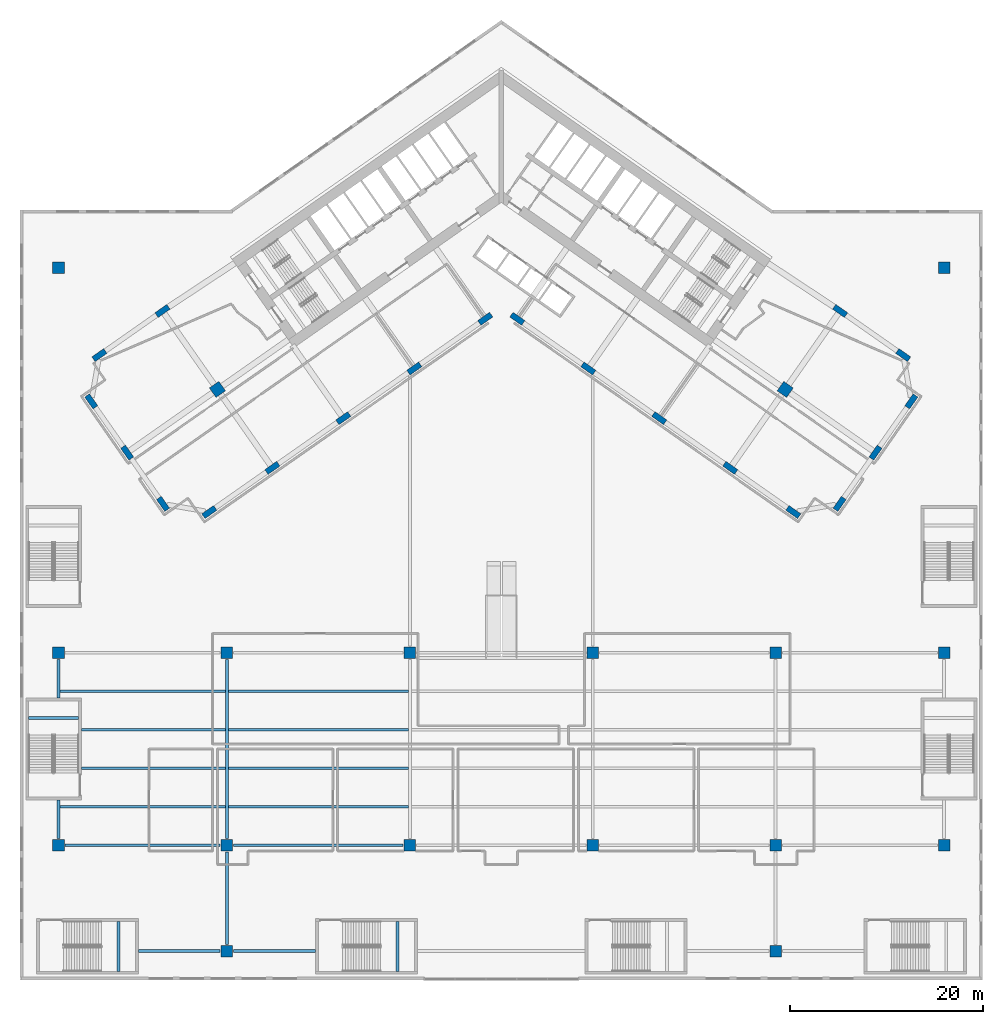
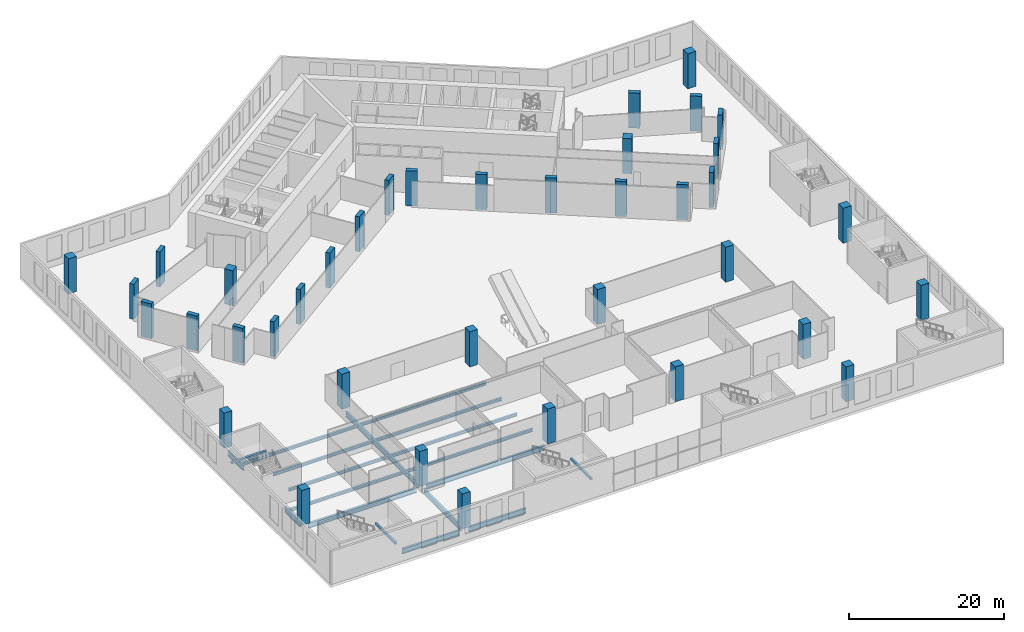
# One storey, part 1 of 26: 38 columns, 19 beams.
"""IFC4 building model written with IfcOpenShell, lengths in metres."""

from ifc_helpers import new_model, si_unit, direction, frame, origin, origin_2d, place, context, subcontext, project, spatial, rectangle, i_section, extrude, material, material_profile, profile_set, type_object, element, save


model = new_model("IFC4")

# Units and contexts
model_context = context("Model", 3, precision=1e-05, world=origin(), true_north=direction((0.0, 1.0)))
body_context = subcontext(model_context, "Body", "Model", "MODEL_VIEW")
ifc_project = project(units=[si_unit("LENGTHUNIT", "METRE"), si_unit("AREAUNIT", "SQUARE_METRE"), si_unit("VOLUMEUNIT", "CUBIC_METRE"), si_unit("PLANEANGLEUNIT", "RADIAN"), si_unit("MASSUNIT", "GRAM", prefix="KILO")], contexts=[model_context])

# Site, building, storey
site_placement = place(None, origin())
site = spatial("IfcSite", under=ifc_project, at=site_placement, CompositionType="ELEMENT")
building_placement = place(site_placement, origin())
building = spatial("IfcBuilding", under=site, at=building_placement, Name="Tel Ilan Convention Tower", CompositionType="ELEMENT")
storey_placement = place(building_placement, frame((0.0, 0.0, 32.0)))
storey = spatial("IfcBuildingStorey", under=building, at=storey_placement, Name="L04", CompositionType="ELEMENT", Elevation=32.0)

# Columns
ifc_material_1 = material(Name="Concrete C50/60", Category="concrete")
ifc_material_profile_1 = material_profile(ifc_material_1, rectangle(XDim=1.199951171875, YDim=1.199951171875, at=origin_2d()), Name="RC 1200x1200")
ifc_profile_set_1 = profile_set([ifc_material_profile_1], Name="Concrete C50/60")
column_type_1 = type_object("IfcColumnType", Name="Column RC 1200x1200 C50/60", PredefinedType="COLUMN", material=ifc_profile_set_1)
for number, where, z_axis, x_axis, name in (
    (1, (-28.5, -79.0, 0.0), (0.0, 0.0, 1.0), (1.0, 0.0, 0.0), "L04 column PC12"),
    (2, (28.5, -79.0, 0.0), (0.0, 0.0, 1.0), (1.0, 0.0, 0.0), "L04 column PC15"),
    (3, (-46.0, -68.0, 0.0), (0.0, 0.0, 1.0), (1.0, 0.0, 0.0), "L04 column PC21"),
    (4, (-28.5, -68.0, 0.0), (0.0, 0.0, 1.0), (1.0, 0.0, 0.0), "L04 column PC22"),
    (5, (-9.5, -68.0, 0.0), (0.0, 0.0, 1.0), (1.0, 0.0, 0.0), "L04 column PC23"),
    (6, (9.5, -68.0, 0.0), (0.0, 0.0, 1.0), (1.0, 0.0, 0.0), "L04 column PC24"),
    (7, (28.5, -68.0, 0.0), (0.0, 0.0, 1.0), (1.0, 0.0, 0.0), "L04 column PC25"),
    (8, (46.0, -68.0, 0.0), (0.0, 0.0, 1.0), (1.0, 0.0, 0.0), "L04 column PC26"),
    (9, (-46.0, -48.0, 0.0), (0.0, 0.0, 1.0), (1.0, 0.0, 0.0), "L04 column PC31"),
    (10, (-28.5, -48.0, 0.0), (0.0, 0.0, 1.0), (1.0, 0.0, 0.0), "L04 column PC32"),
    (11, (-9.5, -48.0, 0.0), (0.0, 0.0, 1.0), (1.0, 0.0, 0.0), "L04 column PC33"),
    (12, (9.5, -48.0, 0.0), (0.0, 0.0, 1.0), (1.0, 0.0, 0.0), "L04 column PC34"),
    (13, (28.5, -48.0, 0.0), (0.0, 0.0, 1.0), (1.0, 0.0, 0.0), "L04 column PC35"),
    (14, (46.0, -48.0, 0.0), (0.0, 0.0, 1.0), (1.0, 0.0, 0.0), "L04 column PC36"),
    (15, (-46.0, -8.0, 0.0), (0.0, 0.0, 1.0), (1.0, 0.0, 0.0), "L04 column PC51"),
    (16, (46.0, -8.0, 0.0), (0.0, 0.0, 1.0), (1.0, 0.0, 0.0), "L04 column PC56"),
):
    element("IfcColumn", number, at=place(storey_placement, frame(where, z_axis=z_axis, x_axis=x_axis)), inside=storey, type_object=column_type_1, Name=name, PredefinedType="COLUMN", context=body_context, shape_type="SweptSolid", body=[
        extrude(rectangle(XDim=1.199951171875, YDim=1.199951171875, at=origin_2d()), origin(), (0.0, 0.0, 1.0), 5.5),
    ])
ifc_material_2 = material(Name="Concrete C60/75", Category="concrete")
ifc_material_profile_2 = material_profile(ifc_material_2, rectangle(XDim=1.199951171875, YDim=1.199951171875, at=origin_2d()), Name="RC 1200x1200")
ifc_profile_set_2 = profile_set([ifc_material_profile_2], Name="Concrete C60/75")
column_type_2 = type_object("IfcColumnType", Name="Column RC 1200x1200 C60/75", PredefinedType="COLUMN", material=ifc_profile_set_2)
for number, where, z_axis, x_axis, name in (
    (17, (-29.489501953125, -20.648681640625, 0.0), (0.0, 0.0, 1.0), (-0.819152044289, -0.573576436351, 0.0), "L04 column W-M4"),
    (18, (29.489501953125, -20.648681640625, 0.0), (0.0, 0.0, 1.0), (0.819152044289, -0.573576436351, 0.0), "L04 column E-M4"),
):
    element("IfcColumn", number, at=place(storey_placement, frame(where, z_axis=z_axis, x_axis=x_axis)), inside=storey, type_object=column_type_2, Name=name, PredefinedType="COLUMN", context=body_context, shape_type="SweptSolid", body=[
        extrude(rectangle(XDim=1.199951171875, YDim=1.199951171875, at=origin_2d()), origin(), (0.0, 0.0, 1.0), 5.5),
    ])
ifc_material_3 = material(Name="Concrete C60/75", Category="concrete")
ifc_material_profile_3 = material_profile(ifc_material_3, rectangle(XDim=1.5, YDim=0.60009765625, at=origin_2d()), Name="RC 600x1500")
ifc_profile_set_3 = profile_set([ifc_material_profile_3], Name="Concrete C60/75")
column_type_3 = type_object("IfcColumnType", Name="Column RC 600x1500 C60/75", PredefinedType="COLUMN", material=ifc_profile_set_3)
for number, where, z_axis, x_axis, name in (
    (19, (-1.665283203125, -13.312744140625, 0.0), (0.0, 0.0, 1.0), (-0.819152044289, -0.573576436351, 0.0), "L04 column W-F1"),
    (20, (-9.03759765625, -18.474853515625, 0.0), (0.0, 0.0, 1.0), (-0.819152044289, -0.573576436351, 0.0), "L04 column W-F2"),
    (21, (-16.409912109375, -23.63720703125, 0.0), (0.0, 0.0, 1.0), (-0.819152044289, -0.573576436351, 0.0), "L04 column W-F3"),
    (22, (-23.782470703125, -28.79931640625, 0.0), (0.0, 0.0, 1.0), (-0.819152044289, -0.573576436351, 0.0), "L04 column W-F4"),
    (23, (-30.335693359375, -33.387939453125, 0.0), (0.0, 0.0, 1.0), (-0.819152044289, -0.573576436351, 0.0), "L04 column W-FC"),
    (24, (-35.196533203125, -12.498291015625, 0.0), (0.0, 0.0, 1.0), (-0.819152044289, -0.573576436351, 0.0), "L04 column W-B4"),
    (25, (-41.749755859375, -17.0869140625, 0.0), (0.0, 0.0, 1.0), (-0.819152044289, -0.573576436351, 0.0), "L04 column W-BC"),
    (26, (-35.140380859375, -32.540771484375, 0.0), (0.0, 0.0, 1.0), (-0.573576436351, 0.819152044289, 0.0), "L04 column W-E1"),
    (27, (-38.868896484375, -27.21630859375, 0.0), (0.0, 0.0, 1.0), (-0.573576436351, 0.819152044289, 0.0), "L04 column W-E2"),
    (28, (-42.596923828125, -21.8916015625, 0.0), (0.0, 0.0, 1.0), (-0.573576436351, 0.819152044289, 0.0), "L04 column W-E3"),
    (29, (1.665283203125, -13.312744140625, 0.0), (0.0, 0.0, 1.0), (0.819152044289, -0.573576436351, 0.0), "L04 column E-F1"),
    (30, (9.03759765625, -18.474853515625, 0.0), (0.0, 0.0, 1.0), (0.819152044289, -0.573576436351, 0.0), "L04 column E-F2"),
    (31, (16.409912109375, -23.63720703125, 0.0), (0.0, 0.0, 1.0), (0.819152044289, -0.573576436351, 0.0), "L04 column E-F3"),
    (32, (23.782470703125, -28.79931640625, 0.0), (0.0, 0.0, 1.0), (0.819152044289, -0.573576436351, 0.0), "L04 column E-F4"),
    (33, (30.335693359375, -33.387939453125, 0.0), (0.0, 0.0, 1.0), (0.819152044289, -0.573576436351, 0.0), "L04 column E-FC"),
    (34, (35.196533203125, -12.498291015625, 0.0), (0.0, 0.0, 1.0), (0.819152044289, -0.573576436351, 0.0), "L04 column E-B4"),
    (35, (41.749755859375, -17.0869140625, 0.0), (0.0, 0.0, 1.0), (0.819152044289, -0.573576436351, 0.0), "L04 column E-BC"),
    (36, (35.140380859375, -32.540771484375, 0.0), (0.0, 0.0, 1.0), (0.573576436351, 0.819152044289, 0.0), "L04 column E-E1"),
    (37, (38.868896484375, -27.21630859375, 0.0), (0.0, 0.0, 1.0), (0.573576436351, 0.819152044289, 0.0), "L04 column E-E2"),
    (38, (42.596923828125, -21.8916015625, 0.0), (0.0, 0.0, 1.0), (0.573576436351, 0.819152044289, 0.0), "L04 column E-E3"),
):
    element("IfcColumn", number, at=place(storey_placement, frame(where, z_axis=z_axis, x_axis=x_axis)), inside=storey, type_object=column_type_3, Name=name, PredefinedType="COLUMN", context=body_context, shape_type="SweptSolid", body=[
        extrude(rectangle(XDim=1.5, YDim=0.60009765625, at=origin_2d()), origin(), (0.0, 0.0, 1.0), 5.5),
    ])

# Beams
ifc_material_4 = material(Name="Steel S355", Category="steel")
ifc_material_profile_4 = material_profile(ifc_material_4, i_section(OverallWidth=0.300048828125, OverallDepth=0.800048828125, WebThickness=0.017578125, FlangeThickness=0.032958984375, FilletRadius=0.030029296875, at=origin_2d()), Name="HEB 800")
ifc_profile_set_4 = profile_set([ifc_material_profile_4], Name="Steel S355")
beam_type_1 = type_object("IfcBeamType", Name="Girder HEB 800 Steel S355", PredefinedType="BEAM", material=ifc_profile_set_4)
beam_1_placement = place(storey_placement, frame((-45.300048828125, -68.0, -0.800048828125), z_axis=(1.0, 0.0, 0.0), x_axis=(0.0, 1.0, 0.0)))
element("IfcBeam", 39, at=beam_1_placement, inside=storey, type_object=beam_type_1, Name="L04 beam GX21-2", PredefinedType="BEAM", context=body_context, shape_type="SweptSolid", body=[
    extrude(i_section(OverallWidth=0.300048828125, OverallDepth=0.800048828125, WebThickness=0.017578125, FlangeThickness=0.032958984375, FilletRadius=0.030029296875, at=origin_2d()), origin(), (0.0, 0.0, 1.0), 16.10009765625),
])
beam_2_placement = place(storey_placement, frame((-27.800048828125, -68.0, -0.800048828125), z_axis=(1.0, 0.0, 0.0), x_axis=(0.0, 1.0, 0.0)))
element("IfcBeam", 40, at=beam_2_placement, inside=storey, type_object=beam_type_1, Name="L04 beam GX22-3", PredefinedType="BEAM", context=body_context, shape_type="SweptSolid", body=[
    extrude(i_section(OverallWidth=0.300048828125, OverallDepth=0.800048828125, WebThickness=0.017578125, FlangeThickness=0.032958984375, FilletRadius=0.030029296875, at=origin_2d()), origin(), (0.0, 0.0, 1.0), 17.60009765625),
])
for number, where, z_axis, x_axis, name in (
    (41, (-46.0, -67.300048828125, -0.800048828125), (0.0, 1.0, 0.0), (-1.0, 0.0, 0.0), "L04 beam GY12-3"),
    (42, (-46.0, -52.699951171875, -0.800048828125), (0.0, 1.0, 0.0), (-1.0, 0.0, 0.0), "L04 beam GY12-3"),
):
    element("IfcBeam", number, at=place(storey_placement, frame(where, z_axis=z_axis, x_axis=x_axis)), inside=storey, type_object=beam_type_1, Name=name, PredefinedType="BEAM", context=body_context, shape_type="SweptSolid", body=[
        extrude(i_section(OverallWidth=0.300048828125, OverallDepth=0.800048828125, WebThickness=0.017578125, FlangeThickness=0.032958984375, FilletRadius=0.030029296875, at=origin_2d()), origin(), (0.0, 0.0, 1.0), 4.0),
    ])
beam_3_placement = place(storey_placement, frame((-28.5, -78.300048828125, -0.800048828125), z_axis=(0.0, 1.0, 0.0), x_axis=(-1.0, 0.0, 0.0)))
element("IfcBeam", 43, at=beam_3_placement, inside=storey, type_object=beam_type_1, Name="L04 beam GY21-2", PredefinedType="BEAM", context=body_context, shape_type="SweptSolid", body=[
    extrude(i_section(OverallWidth=0.300048828125, OverallDepth=0.800048828125, WebThickness=0.017578125, FlangeThickness=0.032958984375, FilletRadius=0.030029296875, at=origin_2d()), origin(), (0.0, 0.0, 1.0), 9.60009765625),
])
beam_4_placement = place(storey_placement, frame((-28.5, -67.300048828125, -0.800048828125), z_axis=(0.0, 1.0, 0.0), x_axis=(-1.0, 0.0, 0.0)))
element("IfcBeam", 44, at=beam_4_placement, inside=storey, type_object=beam_type_1, Name="L04 beam GY22-3", PredefinedType="BEAM", context=body_context, shape_type="SweptSolid", body=[
    extrude(i_section(OverallWidth=0.300048828125, OverallDepth=0.800048828125, WebThickness=0.017578125, FlangeThickness=0.032958984375, FilletRadius=0.030029296875, at=origin_2d()), origin(), (0.0, 0.0, 1.0), 18.60009765625),
])
for number, where, z_axis, x_axis, name in (
    (45, (-37.699951171875, -79.0, -0.800048828125), (1.0, 0.0, 0.0), (0.0, 1.0, 0.0), "L04 beam GS19"),
    (46, (-27.800048828125, -79.0, -0.800048828125), (1.0, 0.0, 0.0), (0.0, 1.0, 0.0), "L04 beam GS20"),
):
    element("IfcBeam", number, at=place(storey_placement, frame(where, z_axis=z_axis, x_axis=x_axis)), inside=storey, type_object=beam_type_1, Name=name, PredefinedType="BEAM", context=body_context, shape_type="SweptSolid", body=[
        extrude(i_section(OverallWidth=0.300048828125, OverallDepth=0.800048828125, WebThickness=0.017578125, FlangeThickness=0.032958984375, FilletRadius=0.030029296875, at=origin_2d()), origin(), (0.0, 0.0, 1.0), 8.5),
    ])
ifc_material_5 = material(Name="Steel S355", Category="steel")
ifc_material_profile_5 = material_profile(ifc_material_5, i_section(OverallWidth=0.300048828125, OverallDepth=0.449951171875, WebThickness=0.013916015625, FlangeThickness=0.02587890625, FilletRadius=0.027099609375, at=origin_2d()), Name="HEB 450")
ifc_profile_set_5 = profile_set([ifc_material_profile_5], Name="Steel S355")
beam_type_2 = type_object("IfcBeamType", Name="Joist HEB 450 Steel S355", PredefinedType="JOIST", material=ifc_profile_set_5)
beam_5_placement = place(storey_placement, frame((-45.860107421875, -64.0, -0.625), z_axis=(1.0, 0.0, 0.0), x_axis=(0.0, 1.0, 0.0)))
element("IfcBeam", 47, at=beam_5_placement, inside=storey, type_object=beam_type_2, Name="L04 beam J1--68-1", PredefinedType="JOIST", context=body_context, shape_type="SweptSolid", body=[
    extrude(i_section(OverallWidth=0.300048828125, OverallDepth=0.449951171875, WebThickness=0.013916015625, FlangeThickness=0.02587890625, FilletRadius=0.027099609375, at=origin_2d()), origin(), (0.0, 0.0, 1.0), 17.22021484375),
])
for number, where, z_axis, x_axis, name in (
    (48, (-43.60009765625, -60.0, -0.625), (1.0, 0.0, 0.0), (0.0, 1.0, 0.0), "L04 beam J1--68-2"),
    (49, (-43.60009765625, -56.0, -0.625), (1.0, 0.0, 0.0), (0.0, 1.0, 0.0), "L04 beam J1--68-3"),
):
    element("IfcBeam", number, at=place(storey_placement, frame(where, z_axis=z_axis, x_axis=x_axis)), inside=storey, type_object=beam_type_2, Name=name, PredefinedType="JOIST", context=body_context, shape_type="SweptSolid", body=[
        extrude(i_section(OverallWidth=0.300048828125, OverallDepth=0.449951171875, WebThickness=0.013916015625, FlangeThickness=0.02587890625, FilletRadius=0.027099609375, at=origin_2d()), origin(), (0.0, 0.0, 1.0), 14.960205078125),
    ])
beam_6_placement = place(storey_placement, frame((-45.860107421875, -52.0, -0.625), z_axis=(1.0, 0.0, 0.0), x_axis=(0.0, 1.0, 0.0)))
element("IfcBeam", 50, at=beam_6_placement, inside=storey, type_object=beam_type_2, Name="L04 beam J1--68-4", PredefinedType="JOIST", context=body_context, shape_type="SweptSolid", body=[
    extrude(i_section(OverallWidth=0.300048828125, OverallDepth=0.449951171875, WebThickness=0.013916015625, FlangeThickness=0.02587890625, FilletRadius=0.027099609375, at=origin_2d()), origin(), (0.0, 0.0, 1.0), 17.22021484375),
])
for number, where, z_axis, x_axis, name in (
    (51, (-28.360107421875, -64.0, -0.625), (1.0, 0.0, 0.0), (0.0, 1.0, 0.0), "L04 beam J2--68-1"),
    (52, (-28.360107421875, -60.0, -0.625), (1.0, 0.0, 0.0), (0.0, 1.0, 0.0), "L04 beam J2--68-2"),
    (53, (-28.360107421875, -56.0, -0.625), (1.0, 0.0, 0.0), (0.0, 1.0, 0.0), "L04 beam J2--68-3"),
    (54, (-28.360107421875, -52.0, -0.625), (1.0, 0.0, 0.0), (0.0, 1.0, 0.0), "L04 beam J2--68-4"),
):
    element("IfcBeam", number, at=place(storey_placement, frame(where, z_axis=z_axis, x_axis=x_axis)), inside=storey, type_object=beam_type_2, Name=name, PredefinedType="JOIST", context=body_context, shape_type="SweptSolid", body=[
        extrude(i_section(OverallWidth=0.300048828125, OverallDepth=0.449951171875, WebThickness=0.013916015625, FlangeThickness=0.02587890625, FilletRadius=0.027099609375, at=origin_2d()), origin(), (0.0, 0.0, 1.0), 18.72021484375),
    ])
ifc_material_6 = material(Name="Concrete C40/50", Category="concrete")
ifc_material_profile_6 = material_profile(ifc_material_6, rectangle(XDim=0.300048828125, YDim=0.300048828125, at=origin_2d()), Name="RC 300x300")
ifc_profile_set_6 = profile_set([ifc_material_profile_6], Name="Concrete C40/50")
beam_type_3 = type_object("IfcBeamType", Name="Landing Beam RC 300x300 Concrete C40/50", PredefinedType="BEAM", material=ifc_profile_set_6)
for number, where, z_axis, x_axis, name in (
    (55, (-39.77783203125, -81.10009765625, 2.39990234375), (0.0, 1.0, 0.0), (-1.0, 0.0, 0.0), "P1 landing beam L04.1"),
    (56, (-10.77783203125, -81.10009765625, 2.39990234375), (0.0, 1.0, 0.0), (-1.0, 0.0, 0.0), "P2 landing beam L04.1"),
    (57, (-43.89990234375, -54.77783203125, 2.39990234375), (-1.0, 0.0, 0.0), (0.0, -1.0, 0.0), "P5 landing beam L04.1"),
):
    element("IfcBeam", number, at=place(storey_placement, frame(where, z_axis=z_axis, x_axis=x_axis)), inside=storey, type_object=beam_type_3, Name=name, PredefinedType="BEAM", context=body_context, shape_type="SweptSolid", body=[
        extrude(rectangle(XDim=0.300048828125, YDim=0.300048828125, at=origin_2d()), origin(), (0.0, 0.0, 1.0), 5.2001953125),
    ])

save(model, "model.ifc")
